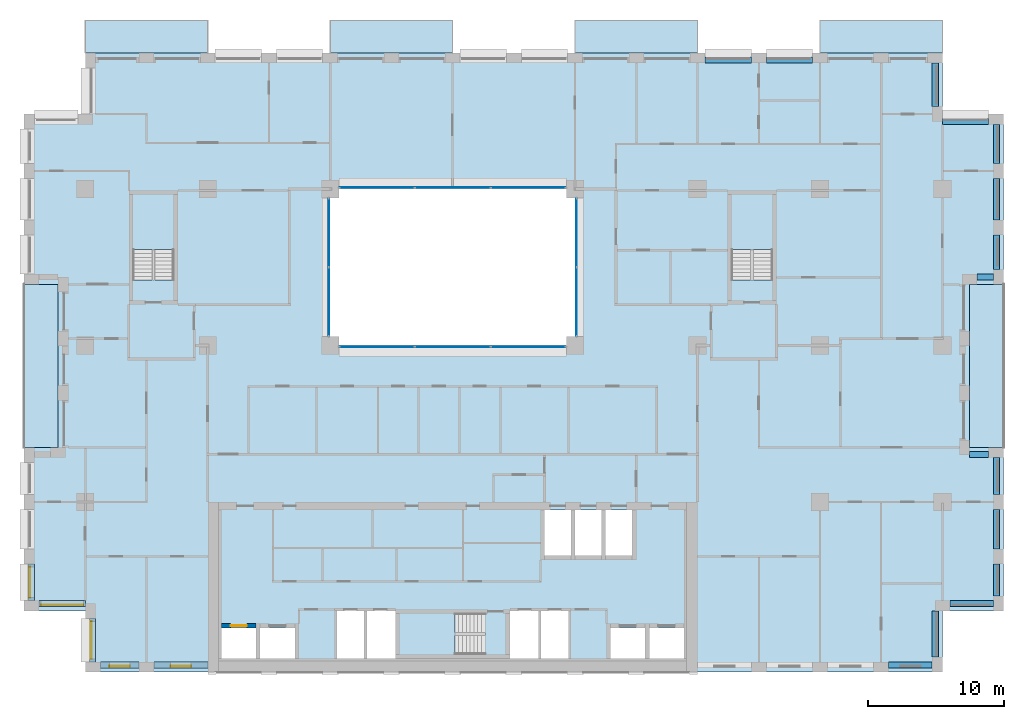
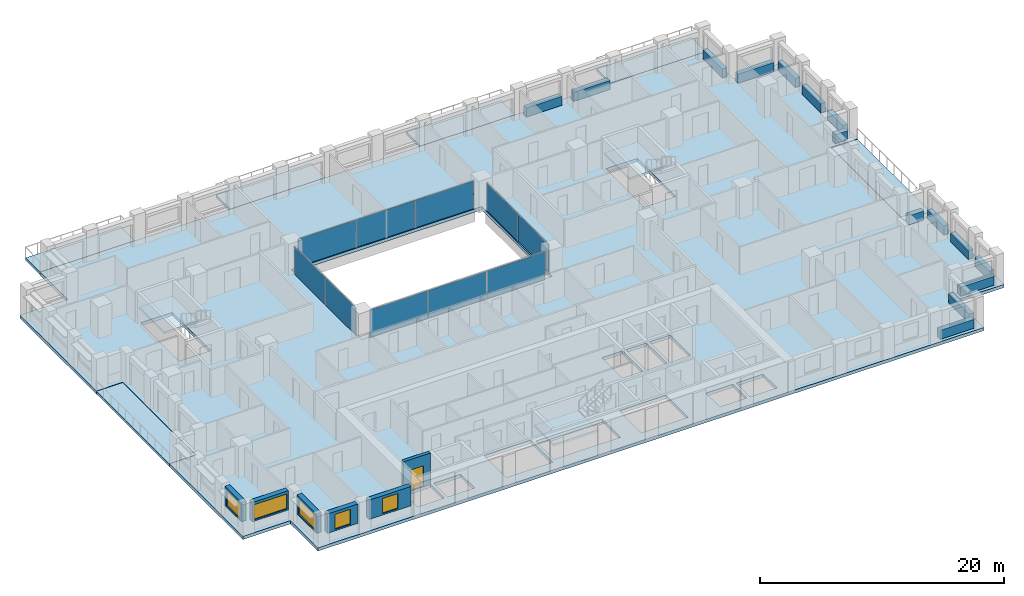
# One storey, part 7 of 16: 15 beams, 10 plates, 10 slabs, 6 walls, 5 windows, 1 door, 6 openings, 7 elements without a shape of their own.
"""IFC4 building model written with IfcOpenShell, lengths in metres."""

from ifc_helpers import new_model, si_unit, direction, frame, frame_2d, origin, origin_2d, place, context, subcontext, project, spatial, polyline, rectangle, outline, extrude, material, layer, layer_set, material_profile, profile_set, type_object, element, fill, aggregate, save


model = new_model("IFC4")

# Units and contexts
model_context = context("Model", 3, precision=1e-05, world=origin(), true_north=direction((0.0, 1.0)))
body_context = subcontext(model_context, "Body", "Model", "MODEL_VIEW")
ifc_project = project(units=[si_unit("LENGTHUNIT", "METRE"), si_unit("AREAUNIT", "SQUARE_METRE"), si_unit("VOLUMEUNIT", "CUBIC_METRE"), si_unit("PLANEANGLEUNIT", "RADIAN"), si_unit("MASSUNIT", "GRAM", prefix="KILO")], contexts=[model_context])

# Site, building, storey
site_placement = place(None, origin())
site = spatial("IfcSite", under=ifc_project, at=site_placement, CompositionType="ELEMENT")
building_placement = place(site_placement, origin())
building = spatial("IfcBuilding", under=site, at=building_placement, Name="Brigalow Station Residences", CompositionType="ELEMENT")
storey_placement = place(building_placement, frame((0.0, 0.0, 105.60009765625)))
storey = spatial("IfcBuildingStorey", under=building, at=storey_placement, Name="L30", CompositionType="ELEMENT", Elevation=105.60009765625)

# Beams
ifc_material_1 = material(Name="Concrete C65", Category="concrete")
ifc_material_profile = material_profile(ifc_material_1, rectangle(XDim=0.449951171875, YDim=0.89990234375, at=origin_2d()), Name="RC450x900")
ifc_profile_set = profile_set([ifc_material_profile], Name="Concrete C65")
beam_type = type_object("IfcBeamType", Name="SPANDREL BEAM 450x900 C65", PredefinedType="SPANDREL", material=ifc_profile_set)
beam_1_placement = place(storey_placement, frame((68.050048828125, 0.52490234375, 0.449951171875), z_axis=(1.0, 0.0, 0.0), x_axis=(0.0, 1.0, 0.0)))
element("IfcBeam", 1, at=beam_1_placement, inside=storey, type_object=beam_type, Name="L30/spandrel/W-L30-7", PredefinedType="SPANDREL", context=body_context, shape_type="SweptSolid", body=[
    extrude(rectangle(XDim=0.449951171875, YDim=0.89990234375, at=origin_2d()), origin(), (0.0, 0.0, 1.0), 3.199951171875),
])
beam_2_placement = place(storey_placement, frame((71.47509765625, 1.10009765625, 0.449951171875), z_axis=(0.0, 1.0, 0.0), x_axis=(-1.0, 0.0, 0.0)))
element("IfcBeam", 2, at=beam_2_placement, inside=storey, type_object=beam_type, Name="L30/spandrel/W-L30-8", PredefinedType="SPANDREL", context=body_context, shape_type="SweptSolid", body=[
    extrude(rectangle(XDim=0.449951171875, YDim=0.89990234375, at=origin_2d()), origin(), (0.0, 0.0, 1.0), 3.39990234375),
])
beam_3_placement = place(storey_placement, frame((72.550048828125, 5.02490234375, 0.449951171875), z_axis=(1.0, 0.0, 0.0), x_axis=(0.0, 1.0, 0.0)))
element("IfcBeam", 3, at=beam_3_placement, inside=storey, type_object=beam_type, Name="L30/spandrel/W-L30-9", PredefinedType="SPANDREL", context=body_context, shape_type="SweptSolid", body=[
    extrude(rectangle(XDim=0.449951171875, YDim=0.89990234375, at=origin_2d()), origin(), (0.0, 0.0, 1.0), 3.199951171875),
])
beam_4_placement = place(storey_placement, frame((75.97509765625, 5.60009765625, 0.449951171875), z_axis=(0.0, 1.0, 0.0), x_axis=(-1.0, 0.0, 0.0)))
element("IfcBeam", 4, at=beam_4_placement, inside=storey, type_object=beam_type, Name="L30/spandrel/W-L30-10", PredefinedType="SPANDREL", context=body_context, shape_type="SweptSolid", body=[
    extrude(rectangle(XDim=0.449951171875, YDim=0.89990234375, at=origin_2d()), origin(), (0.0, 0.0, 1.0), 2.349853515625),
])
beam_5_placement = place(storey_placement, frame((75.97509765625, 9.050048828125, 0.449951171875), z_axis=(0.0, 1.0, 0.0), x_axis=(-1.0, 0.0, 0.0)))
element("IfcBeam", 5, at=beam_5_placement, inside=storey, type_object=beam_type, Name="L30/spandrel/W-L30-11", PredefinedType="SPANDREL", context=body_context, shape_type="SweptSolid", body=[
    extrude(rectangle(XDim=0.449951171875, YDim=0.89990234375, at=origin_2d()), origin(), (0.0, 0.0, 1.0), 2.89990234375),
])
beam_6_placement = place(storey_placement, frame((75.97509765625, 13.050048828125, 0.449951171875), z_axis=(0.0, 1.0, 0.0), x_axis=(-1.0, 0.0, 0.0)))
element("IfcBeam", 6, at=beam_6_placement, inside=storey, type_object=beam_type, Name="L30/spandrel/W-L30-12", PredefinedType="SPANDREL", context=body_context, shape_type="SweptSolid", body=[
    extrude(rectangle(XDim=0.449951171875, YDim=0.89990234375, at=origin_2d()), origin(), (0.0, 0.0, 1.0), 2.699951171875),
])
beam_7_placement = place(storey_placement, frame((75.39990234375, 15.97509765625, 0.449951171875), z_axis=(-1.0, 0.0, 0.0), x_axis=(0.0, -1.0, 0.0)))
element("IfcBeam", 7, at=beam_7_placement, inside=storey, type_object=beam_type, Name="L30/spandrel/W-L30-13", PredefinedType="SPANDREL", context=body_context, shape_type="SweptSolid", body=[
    extrude(rectangle(XDim=0.449951171875, YDim=0.89990234375, at=origin_2d()), origin(), (0.0, 0.0, 1.0), 1.39990234375),
])
beam_8_placement = place(storey_placement, frame((74.550048828125, 29.02490234375, 0.449951171875), z_axis=(1.0, 0.0, 0.0), x_axis=(0.0, 1.0, 0.0)))
element("IfcBeam", 8, at=beam_8_placement, inside=storey, type_object=beam_type, Name="L30/spandrel/W-L30-17", PredefinedType="SPANDREL", context=body_context, shape_type="SweptSolid", body=[
    extrude(rectangle(XDim=0.449951171875, YDim=0.89990234375, at=origin_2d()), origin(), (0.0, 0.0, 1.0), 1.199951171875),
])
beam_9_placement = place(storey_placement, frame((75.97509765625, 29.60009765625, 0.449951171875), z_axis=(0.0, 1.0, 0.0), x_axis=(-1.0, 0.0, 0.0)))
element("IfcBeam", 9, at=beam_9_placement, inside=storey, type_object=beam_type, Name="L30/spandrel/W-L30-18", PredefinedType="SPANDREL", context=body_context, shape_type="SweptSolid", body=[
    extrude(rectangle(XDim=0.449951171875, YDim=0.89990234375, at=origin_2d()), origin(), (0.0, 0.0, 1.0), 2.516845703125),
])
beam_10_placement = place(storey_placement, frame((75.97509765625, 33.217041015625, 0.449951171875), z_axis=(0.0, 1.0, 0.0), x_axis=(-1.0, 0.0, 0.0)))
element("IfcBeam", 10, at=beam_10_placement, inside=storey, type_object=beam_type, Name="L30/spandrel/W-L30-19", PredefinedType="SPANDREL", context=body_context, shape_type="SweptSolid", body=[
    extrude(rectangle(XDim=0.449951171875, YDim=0.89990234375, at=origin_2d()), origin(), (0.0, 0.0, 1.0), 3.06591796875),
])
beam_11_placement = place(storey_placement, frame((75.97509765625, 37.383056640625, 0.449951171875), z_axis=(0.0, 1.0, 0.0), x_axis=(-1.0, 0.0, 0.0)))
element("IfcBeam", 11, at=beam_11_placement, inside=storey, type_object=beam_type, Name="L30/spandrel/W-L30-20", PredefinedType="SPANDREL", context=body_context, shape_type="SweptSolid", body=[
    extrude(rectangle(XDim=0.449951171875, YDim=0.89990234375, at=origin_2d()), origin(), (0.0, 0.0, 1.0), 2.866943359375),
])
beam_12_placement = place(storey_placement, frame((75.39990234375, 40.47509765625, 0.449951171875), z_axis=(-1.0, 0.0, 0.0), x_axis=(0.0, -1.0, 0.0)))
element("IfcBeam", 12, at=beam_12_placement, inside=storey, type_object=beam_type, Name="L30/spandrel/W-L30-21", PredefinedType="SPANDREL", context=body_context, shape_type="SweptSolid", body=[
    extrude(rectangle(XDim=0.449951171875, YDim=0.89990234375, at=origin_2d()), origin(), (0.0, 0.0, 1.0), 3.39990234375),
])
beam_13_placement = place(storey_placement, frame((71.47509765625, 41.550048828125, 0.449951171875), z_axis=(0.0, 1.0, 0.0), x_axis=(-1.0, 0.0, 0.0)))
element("IfcBeam", 13, at=beam_13_placement, inside=storey, type_object=beam_type, Name="L30/spandrel/W-L30-22", PredefinedType="SPANDREL", context=body_context, shape_type="SweptSolid", body=[
    extrude(rectangle(XDim=0.449951171875, YDim=0.89990234375, at=origin_2d()), origin(), (0.0, 0.0, 1.0), 3.199951171875),
])
for number, where, z_axis, x_axis, name in (
    (14, (62.449951171875, 44.97509765625, 0.449951171875), (-1.0, 0.0, 0.0), (0.0, -1.0, 0.0), "L30/spandrel/W-L30-25"),
    (15, (57.949951171875, 44.97509765625, 0.449951171875), (-1.0, 0.0, 0.0), (0.0, -1.0, 0.0), "L30/spandrel/W-L30-26"),
):
    element("IfcBeam", number, at=place(storey_placement, frame(where, z_axis=z_axis, x_axis=x_axis)), inside=storey, type_object=beam_type, Name=name, PredefinedType="SPANDREL", context=body_context, shape_type="SweptSolid", body=[
        extrude(rectangle(XDim=0.449951171875, YDim=0.89990234375, at=origin_2d()), origin(), (0.0, 0.0, 1.0), 3.39990234375),
    ])

# Curtain wall, plates
ifc_material_2 = material(Name="Aluminium", Category="aluminium")
ifc_layer_1 = layer(ifc_material_2, 0.14990234375)
ifc_layer_set_1 = layer_set([ifc_layer_1], Name="ATRIUM FIRE-RATED GLAZING CURTAIN WALL")
curtain_wall_type = type_object("IfcCurtainWallType", Name="ATRIUM FIRE-RATED GLAZING CURTAIN WALL", PredefinedType="NOTDEFINED", material=ifc_layer_set_1)
curtain_wall_1_placement = place(storey_placement, origin())
curtain_wall_1 = element("IfcCurtainWall", 16, at=curtain_wall_1_placement, inside=storey, type_object=curtain_wall_type, Name="L30/cw/atrium-S", PredefinedType="NOTDEFINED")
ifc_material_3 = material(Name="Fire-resisting laminated glazing, FRL -/60/-", Category="glass")
ifc_layer_2 = layer(ifc_material_3, 0.031982421875)
ifc_layer_set_2 = layer_set([ifc_layer_2], Name="ATRIUM FIRE-RATED GLAZING PANEL 32")
plate_type = type_object("IfcPlateType", Name="ATRIUM FIRE-RATED GLAZING PANEL 32", PredefinedType="CURTAIN_PANEL", material=ifc_layer_set_2)
plate_1_placement = place(storey_placement, frame((30.4482421875, 23.89990234375, 0.0), z_axis=(0.0, 0.0, 1.0), x_axis=(1.0, 0.0, 0.0)))
plate_1 = element("IfcPlate", 17, at=plate_1_placement, type_object=plate_type, Name="L30/cw/atrium-S/P00-00", PredefinedType="CURTAIN_PANEL", context=body_context, shape_type="SweptSolid", body=[
    extrude(rectangle(XDim=5.476806640625, YDim=0.031982421875, at=origin_2d()), origin(), (0.0, 0.0, 1.0), 2.77001953125),
])
plate_2_placement = place(storey_placement, frame((36.0, 23.89990234375, 0.0), z_axis=(0.0, 0.0, 1.0), x_axis=(1.0, 0.0, 0.0)))
plate_2 = element("IfcPlate", 18, at=plate_2_placement, type_object=plate_type, Name="L30/cw/atrium-S/P01-00", PredefinedType="CURTAIN_PANEL", context=body_context, shape_type="SweptSolid", body=[
    extrude(rectangle(XDim=5.506591796875, YDim=0.031982421875, at=origin_2d()), origin(), (0.0, 0.0, 1.0), 2.77001953125),
])
plate_3_placement = place(storey_placement, frame((41.5517578125, 23.89990234375, 0.0), z_axis=(0.0, 0.0, 1.0), x_axis=(1.0, 0.0, 0.0)))
plate_3 = element("IfcPlate", 19, at=plate_3_placement, type_object=plate_type, Name="L30/cw/atrium-S/P02-00", PredefinedType="CURTAIN_PANEL", context=body_context, shape_type="SweptSolid", body=[
    extrude(rectangle(XDim=5.476806640625, YDim=0.031982421875, at=origin_2d()), origin(), (0.0, 0.0, 1.0), 2.77001953125),
])
aggregate(curtain_wall_1, [plate_1, plate_2, plate_3])

curtain_wall_2_placement = place(storey_placement, origin())
curtain_wall_2 = element("IfcCurtainWall", 20, at=curtain_wall_2_placement, inside=storey, type_object=curtain_wall_type, Name="L30/cw/atrium-E", PredefinedType="NOTDEFINED")
plate_4_placement = place(storey_placement, frame((45.10009765625, 27.215087890625, 0.0), z_axis=(0.0, 0.0, 1.0), x_axis=(0.0, 1.0, 0.0)))
plate_4 = element("IfcPlate", 21, at=plate_4_placement, type_object=plate_type, Name="L30/cw/atrium-E/P00-00", PredefinedType="CURTAIN_PANEL", context=body_context, shape_type="SweptSolid", body=[
    extrude(rectangle(XDim=5.010009765625, YDim=0.031982421875, at=origin_2d()), origin(), (0.0, 0.0, 1.0), 2.77001953125),
])
plate_5_placement = place(storey_placement, frame((45.10009765625, 32.284912109375, 0.0), z_axis=(0.0, 0.0, 1.0), x_axis=(0.0, 1.0, 0.0)))
plate_5 = element("IfcPlate", 22, at=plate_5_placement, type_object=plate_type, Name="L30/cw/atrium-E/P01-00", PredefinedType="CURTAIN_PANEL", context=body_context, shape_type="SweptSolid", body=[
    extrude(rectangle(XDim=5.010009765625, YDim=0.031982421875, at=origin_2d()), origin(), (0.0, 0.0, 1.0), 2.77001953125),
])
aggregate(curtain_wall_2, [plate_4, plate_5])

curtain_wall_3_placement = place(storey_placement, origin())
curtain_wall_3 = element("IfcCurtainWall", 23, at=curtain_wall_3_placement, inside=storey, type_object=curtain_wall_type, Name="L30/cw/atrium-N", PredefinedType="NOTDEFINED")
plate_6_placement = place(storey_placement, frame((41.5517578125, 35.60009765625, 0.0), z_axis=(0.0, 0.0, 1.0), x_axis=(-1.0, 0.0, 0.0)))
plate_6 = element("IfcPlate", 24, at=plate_6_placement, type_object=plate_type, Name="L30/cw/atrium-N/P00-00", PredefinedType="CURTAIN_PANEL", context=body_context, shape_type="SweptSolid", body=[
    extrude(rectangle(XDim=5.476806640625, YDim=0.031982421875, at=origin_2d()), origin(), (0.0, 0.0, 1.0), 2.77001953125),
])
plate_7_placement = place(storey_placement, frame((36.0, 35.60009765625, 0.0), z_axis=(0.0, 0.0, 1.0), x_axis=(-1.0, 0.0, 0.0)))
plate_7 = element("IfcPlate", 25, at=plate_7_placement, type_object=plate_type, Name="L30/cw/atrium-N/P01-00", PredefinedType="CURTAIN_PANEL", context=body_context, shape_type="SweptSolid", body=[
    extrude(rectangle(XDim=5.506591796875, YDim=0.031982421875, at=origin_2d()), origin(), (0.0, 0.0, 1.0), 2.77001953125),
])
plate_8_placement = place(storey_placement, frame((30.4482421875, 35.60009765625, 0.0), z_axis=(0.0, 0.0, 1.0), x_axis=(-1.0, 0.0, 0.0)))
plate_8 = element("IfcPlate", 26, at=plate_8_placement, type_object=plate_type, Name="L30/cw/atrium-N/P02-00", PredefinedType="CURTAIN_PANEL", context=body_context, shape_type="SweptSolid", body=[
    extrude(rectangle(XDim=5.476806640625, YDim=0.031982421875, at=origin_2d()), origin(), (0.0, 0.0, 1.0), 2.77001953125),
])
aggregate(curtain_wall_3, [plate_6, plate_7, plate_8])

curtain_wall_4_placement = place(storey_placement, origin())
curtain_wall_4 = element("IfcCurtainWall", 27, at=curtain_wall_4_placement, inside=storey, type_object=curtain_wall_type, Name="L30/cw/atrium-W", PredefinedType="NOTDEFINED")
plate_9_placement = place(storey_placement, frame((26.89990234375, 32.284912109375, 0.0), z_axis=(0.0, 0.0, 1.0), x_axis=(0.0, -1.0, 0.0)))
plate_9 = element("IfcPlate", 28, at=plate_9_placement, type_object=plate_type, Name="L30/cw/atrium-W/P00-00", PredefinedType="CURTAIN_PANEL", context=body_context, shape_type="SweptSolid", body=[
    extrude(rectangle(XDim=5.010009765625, YDim=0.031982421875, at=origin_2d()), origin(), (0.0, 0.0, 1.0), 2.77001953125),
])
plate_10_placement = place(storey_placement, frame((26.89990234375, 27.215087890625, 0.0), z_axis=(0.0, 0.0, 1.0), x_axis=(0.0, -1.0, 0.0)))
plate_10 = element("IfcPlate", 29, at=plate_10_placement, type_object=plate_type, Name="L30/cw/atrium-W/P01-00", PredefinedType="CURTAIN_PANEL", context=body_context, shape_type="SweptSolid", body=[
    extrude(rectangle(XDim=5.010009765625, YDim=0.031982421875, at=origin_2d()), origin(), (0.0, 0.0, 1.0), 2.77001953125),
])
aggregate(curtain_wall_4, [plate_9, plate_10])

# Slabs
ifc_material_4 = material(Name="Concrete C50 precast", Category="concrete")
ifc_layer_3 = layer(ifc_material_4, 0.25)
ifc_layer_set_3 = layer_set([ifc_layer_3], Name="BALCONY SLAB 250")
slab_type_1 = type_object("IfcSlabType", Name="BALCONY SLAB 250", PredefinedType="USERDEFINED", material=ifc_layer_set_3)
slab_1_placement = place(storey_placement, frame((0.0, 0.0, -0.2900390625)))
element("IfcSlab", 30, at=slab_1_placement, inside=storey, type_object=slab_type_1, Name="L30/balcony/1", ObjectType="BALCONY", PredefinedType="USERDEFINED", context=body_context, shape_type="SweptSolid", body=[
    extrude(outline(polyline([(74.0, 16.5), (76.5, 16.5), (76.5, 28.5), (74.0, 28.5), (74.0, 16.5)])), origin(), (0.0, 0.0, 1.0), 0.25),
])
slab_2_placement = place(storey_placement, frame((0.0, 0.0, -0.2900390625)))
element("IfcSlab", 31, at=slab_2_placement, inside=storey, type_object=slab_type_1, Name="L30/balcony/2", ObjectType="BALCONY", PredefinedType="USERDEFINED", context=body_context, shape_type="SweptSolid", body=[
    extrude(outline(polyline([(72.0, 45.5), (72.0, 47.89990234375), (63.0, 47.89990234375), (63.0, 45.5), (72.0, 45.5)])), origin(), (0.0, 0.0, 1.0), 0.25),
])
slab_3_placement = place(storey_placement, frame((0.0, 0.0, -0.2900390625)))
element("IfcSlab", 32, at=slab_3_placement, inside=storey, type_object=slab_type_1, Name="L30/balcony/3", ObjectType="BALCONY", PredefinedType="USERDEFINED", context=body_context, shape_type="SweptSolid", body=[
    extrude(outline(polyline([(54.0, 45.5), (54.0, 47.89990234375), (45.0, 47.89990234375), (45.0, 45.5), (54.0, 45.5)])), origin(), (0.0, 0.0, 1.0), 0.25),
])
slab_4_placement = place(storey_placement, frame((0.0, 0.0, -0.2900390625)))
element("IfcSlab", 33, at=slab_4_placement, inside=storey, type_object=slab_type_1, Name="L30/balcony/4", ObjectType="BALCONY", PredefinedType="USERDEFINED", context=body_context, shape_type="SweptSolid", body=[
    extrude(outline(polyline([(36.0, 45.5), (36.0, 47.89990234375), (27.0, 47.89990234375), (27.0, 45.5), (36.0, 45.5)])), origin(), (0.0, 0.0, 1.0), 0.25),
])
slab_5_placement = place(storey_placement, frame((0.0, 0.0, -0.2900390625)))
element("IfcSlab", 34, at=slab_5_placement, inside=storey, type_object=slab_type_1, Name="L30/balcony/5", ObjectType="BALCONY", PredefinedType="USERDEFINED", context=body_context, shape_type="SweptSolid", body=[
    extrude(outline(polyline([(18.0, 45.5), (18.0, 47.89990234375), (9.0, 47.89990234375), (9.0, 45.5), (18.0, 45.5)])), origin(), (0.0, 0.0, 1.0), 0.25),
])
slab_6_placement = place(storey_placement, frame((0.0, 0.0, -0.2900390625)))
element("IfcSlab", 35, at=slab_6_placement, inside=storey, type_object=slab_type_1, Name="L30/balcony/6", ObjectType="BALCONY", PredefinedType="USERDEFINED", context=body_context, shape_type="SweptSolid", body=[
    extrude(outline(polyline([(7.0, 28.5), (4.5, 28.5), (4.5, 16.5), (7.0, 16.5), (7.0, 28.5)])), origin(), (0.0, 0.0, 1.0), 0.25),
])
ifc_material_5 = material(Name="Concrete C50", Category="concrete")
ifc_layer_4 = layer(ifc_material_5, 0.320068359375)
ifc_layer_set_4 = layer_set([ifc_layer_4], Name="POST-TENSIONED FLAT PLATE 320 C50")
slab_type_2 = type_object("IfcSlabType", Name="POST-TENSIONED FLAT PLATE 320 C50", PredefinedType="FLOOR", material=ifc_layer_set_4)
slab_7_placement = place(storey_placement, frame((0.0, 0.0, -0.320068359375)))
element("IfcSlab", 36, at=slab_7_placement, inside=storey, type_object=slab_type_2, Name="FLOOR SLAB L30", PredefinedType="FLOOR", context=body_context, shape_type="SweptSolid", body=[
    extrude(outline(polyline([(9.0, 0.0), (72.0, 0.0), (72.0, 4.5), (76.5, 4.5), (76.5, 16.5), (74.0, 16.5), (74.0, 28.5), (76.5, 28.5), (76.5, 41.0), (72.0, 41.0), (72.0, 45.5), (9.0, 45.5), (9.0, 41.0), (4.5, 41.0), (4.5, 28.5), (7.0, 28.5), (7.0, 16.5), (4.5, 16.5), (4.5, 4.5), (9.0, 4.5), (9.0, 0.0)]), holes=[polyline([(12.5048828125, 35.094970703125), (15.4951171875, 35.094970703125), (15.4951171875, 28.804931640625), (12.5048828125, 28.804931640625), (12.5048828125, 35.094970703125)]), polyline([(19.0, 1.0), (19.0, 3.25), (21.550048828125, 3.25), (21.550048828125, 1.0), (19.0, 1.0)]), polyline([(21.85009765625, 3.25), (24.39990234375, 3.25), (24.39990234375, 1.0), (21.85009765625, 1.0), (21.85009765625, 3.25)]), polyline([(27.0, 35.5), (45.0, 35.5), (45.0, 24.0), (27.0, 24.0), (27.0, 35.5)]), polyline([(29.60009765625, 4.60009765625), (31.800048828125, 4.60009765625), (31.800048828125, 1.0), (29.60009765625, 1.0), (27.39990234375, 1.0), (27.39990234375, 4.60009765625), (29.60009765625, 4.60009765625)]), polyline([(32.10498046875, 4.294921875), (38.39501953125, 4.294921875), (38.39501953125, 1.304931640625), (32.10498046875, 1.304931640625), (32.10498046875, 4.294921875)]), polyline([(40.199951171875, 4.60009765625), (42.39990234375, 4.60009765625), (44.60009765625, 4.60009765625), (44.60009765625, 1.0), (42.39990234375, 1.0), (40.199951171875, 1.0), (40.199951171875, 4.60009765625)]), polyline([(42.75, 11.89990234375), (44.699951171875, 11.89990234375), (44.699951171875, 8.550048828125), (42.75, 8.550048828125), (42.75, 11.89990234375)]), polyline([(45.0, 11.89990234375), (46.949951171875, 11.89990234375), (46.949951171875, 8.550048828125), (45.0, 8.550048828125), (45.0, 11.89990234375)]), polyline([(47.25, 11.89990234375), (49.199951171875, 11.89990234375), (49.199951171875, 8.550048828125), (47.25, 8.550048828125), (47.25, 11.89990234375)]), polyline([(47.60009765625, 3.25), (50.14990234375, 3.25), (50.14990234375, 1.0), (47.60009765625, 1.0), (47.60009765625, 3.25)]), polyline([(50.449951171875, 3.25), (53.0, 3.25), (53.0, 1.0), (50.449951171875, 1.0), (50.449951171875, 3.25)]), polyline([(56.5048828125, 35.094970703125), (59.4951171875, 35.094970703125), (59.4951171875, 28.804931640625), (56.5048828125, 28.804931640625), (56.5048828125, 35.094970703125)])]), origin(), (0.0, 0.0, 1.0), 0.320068359375),
])

# Stair, slab
ifc_material_6 = material(Name="Concrete C50", Category="concrete")
stair_type = type_object("IfcStairType", Name="EXIT STAIR 1400 2 FLIGHT", PredefinedType="HALF_TURN_STAIR", material=ifc_material_6)
stair_1_placement = place(storey_placement, origin())
stair_1 = element("IfcStair", 37, at=stair_1_placement, inside=storey, type_object=stair_type, Name="EXIT STAIR S2 L30", PredefinedType="HALF_TURN_STAIR")
ifc_material_7 = material(Name="Concrete C50", Category="concrete")
ifc_layer_5 = layer(ifc_material_7, 0.199951171875)
ifc_layer_set_5 = layer_set([ifc_layer_5], Name="STAIR LANDING 200")
slab_type_3 = type_object("IfcSlabType", Name="STAIR LANDING 200", PredefinedType="LANDING", material=ifc_layer_set_5)
slab_8_placement = place(storey_placement, frame((0.0, 0.0, 1.375)))
slab_8 = element("IfcSlab", 38, at=slab_8_placement, type_object=slab_type_3, Name="ST-2 landing 1", PredefinedType="LANDING", context=body_context, shape_type="SweptSolid", body=[
    extrude(outline(polyline([(32.0, 1.199951171875), (36.159912109375, 1.199951171875), (36.159912109375, 4.39990234375), (32.0, 4.39990234375), (32.0, 1.199951171875)])), origin(), (0.0, 0.0, 1.0), 0.199951171875),
])
aggregate(stair_1, [slab_8])

stair_2_placement = place(storey_placement, origin())
stair_2 = element("IfcStair", 39, at=stair_2_placement, inside=storey, type_object=stair_type, Name="EXIT STAIR S1 L30", PredefinedType="HALF_TURN_STAIR")
slab_9_placement = place(storey_placement, frame((0.0, 0.0, 1.375)))
slab_9 = element("IfcSlab", 40, at=slab_9_placement, type_object=slab_type_3, Name="ST-1 landing 1", PredefinedType="LANDING", context=body_context, shape_type="SweptSolid", body=[
    extrude(outline(polyline([(12.39990234375, 31.0400390625), (15.60009765625, 31.0400390625), (15.60009765625, 35.199951171875), (12.39990234375, 35.199951171875), (12.39990234375, 31.0400390625)])), origin(), (0.0, 0.0, 1.0), 0.199951171875),
])
aggregate(stair_2, [slab_9])

stair_3_placement = place(storey_placement, origin())
stair_3 = element("IfcStair", 41, at=stair_3_placement, inside=storey, type_object=stair_type, Name="EXIT STAIR S3 L30", PredefinedType="HALF_TURN_STAIR")
slab_10_placement = place(storey_placement, frame((0.0, 0.0, 1.375)))
slab_10 = element("IfcSlab", 42, at=slab_10_placement, type_object=slab_type_3, Name="ST-3 landing 1", PredefinedType="LANDING", context=body_context, shape_type="SweptSolid", body=[
    extrude(outline(polyline([(56.39990234375, 31.0400390625), (59.60009765625, 31.0400390625), (59.60009765625, 35.199951171875), (56.39990234375, 35.199951171875), (56.39990234375, 31.0400390625)])), origin(), (0.0, 0.0, 1.0), 0.199951171875),
])
aggregate(stair_3, [slab_10])

# Wall, opening, window
ifc_material_8 = material(Name="Clay brick masonry", Category="masonry")
ifc_layer_6 = layer(ifc_material_8, 0.449951171875)
ifc_layer_set_6 = layer_set([ifc_layer_6], Name="BRICK INFILL WALL 450")
wall_type_1 = type_object("IfcWallType", Name="BRICK INFILL WALL 450", PredefinedType="SOLIDWALL", material=ifc_layer_set_6)
wall_1_placement = place(storey_placement, frame((10.10009765625, 0.52490234375, 0.89990234375), z_axis=(0.0, 0.0, 1.0), x_axis=(1.0, 0.0, 0.0)))
wall_1 = element("IfcWall", 43, at=wall_1_placement, inside=storey, type_object=wall_type_1, Name="L30/ewall/W-L30-1", PredefinedType="SOLIDWALL", context=body_context, shape_type="SweptSolid", body=[
    extrude(rectangle(XDim=2.849853515625, YDim=0.449951171875, at=frame_2d((1.4248046875, 0.0))), origin(), (0.0, 0.0, 1.0), 1.929931640625),
])
opening_1_placement = place(wall_1_placement, frame((0.675048828125, 0.0, 0.14990234375)))
opening_1 = element("IfcOpeningElement", 44, at=opening_1_placement, cuts=wall_1, Name="Opening WT-1", PredefinedType="OPENING", context=body_context, shape_type="SweptSolid", body=[
    extrude(rectangle(XDim=1.5, YDim=1.5, at=frame_2d((0.75, 0.75))), frame((0.0, 0.23486328125, 0.0), z_axis=(0.0, -1.0, 0.0), x_axis=(1.0, 0.0, 0.0)), (0.0, 0.0, 1.0), 0.469970703125),
])
ifc_material_9 = material(Name="Anodised aluminium frame with double glazing", Category="aluminium")
window_type_1 = type_object("IfcWindowType", Name="WINDOW 1500x1500", PartitioningType="SINGLE_PANEL", PredefinedType="WINDOW", material=ifc_material_9)
window_1_placement = place(opening_1_placement, origin())
window_1 = element("IfcWindow", 45, at=window_1_placement, inside=storey, type_object=window_type_1, Name="L30/window/W-L30-1", OverallHeight=1.5, OverallWidth=1.5, PartitioningType="SINGLE_PANEL", PredefinedType="WINDOW", context=body_context, shape_type="SweptSolid", body=[
    extrude(rectangle(XDim=1.5, YDim=1.5, at=frame_2d((0.75, 0.75))), frame((0.0, -0.06494140625, 0.0), z_axis=(0.0, -1.0, 0.0), x_axis=(1.0, 0.0, 0.0)), (0.0, 0.0, 1.0), 0.06005859375),
])
fill(opening_1, window_1)

wall_2_placement = place(storey_placement, frame((14.050048828125, 0.52490234375, 0.89990234375), z_axis=(0.0, 0.0, 1.0), x_axis=(1.0, 0.0, 0.0)))
wall_2 = element("IfcWall", 46, at=wall_2_placement, inside=storey, type_object=wall_type_1, Name="L30/ewall/W-L30-2", PredefinedType="SOLIDWALL", context=body_context, shape_type="SweptSolid", body=[
    extrude(rectangle(XDim=3.949951171875, YDim=0.449951171875, at=frame_2d((1.97509765625, 0.0))), origin(), (0.0, 0.0, 1.0), 1.929931640625),
])
opening_2_placement = place(wall_2_placement, frame((1.22509765625, 0.0, 0.14990234375)))
opening_2 = element("IfcOpeningElement", 47, at=opening_2_placement, cuts=wall_2, Name="Opening WT-1", PredefinedType="OPENING", context=body_context, shape_type="SweptSolid", body=[
    extrude(rectangle(XDim=1.5, YDim=1.5, at=frame_2d((0.75, 0.75))), frame((0.0, 0.23486328125, 0.0), z_axis=(0.0, -1.0, 0.0), x_axis=(1.0, 0.0, 0.0)), (0.0, 0.0, 1.0), 0.469970703125),
])
window_2_placement = place(opening_2_placement, origin())
window_2 = element("IfcWindow", 48, at=window_2_placement, inside=storey, type_object=window_type_1, Name="L30/window/W-L30-2", OverallHeight=1.5, OverallWidth=1.5, PartitioningType="SINGLE_PANEL", PredefinedType="WINDOW", context=body_context, shape_type="SweptSolid", body=[
    extrude(rectangle(XDim=1.5, YDim=1.5, at=frame_2d((0.75, 0.75))), frame((0.0, -0.06494140625, 0.0), z_axis=(0.0, -1.0, 0.0), x_axis=(1.0, 0.0, 0.0)), (0.0, 0.0, 1.0), 0.06005859375),
])
fill(opening_2, window_2)

wall_3_placement = place(storey_placement, frame((5.02490234375, 7.949951171875, 0.89990234375), z_axis=(0.0, 0.0, 1.0), x_axis=(0.0, -1.0, 0.0)))
wall_3 = element("IfcWall", 49, at=wall_3_placement, inside=storey, type_object=wall_type_1, Name="L30/ewall/W-L30-49", PredefinedType="SOLIDWALL", context=body_context, shape_type="SweptSolid", body=[
    extrude(rectangle(XDim=2.699951171875, YDim=0.449951171875, at=frame_2d((1.35009765625, 0.0))), origin(), (0.0, 0.0, 1.0), 1.929931640625),
])
opening_3_placement = place(wall_3_placement, frame((0.22509765625, 0.0, 0.14990234375)))
opening_3 = element("IfcOpeningElement", 50, at=opening_3_placement, cuts=wall_3, Name="Opening WT-6", PredefinedType="OPENING", context=body_context, shape_type="SweptSolid", body=[
    extrude(rectangle(XDim=2.25, YDim=1.5, at=frame_2d((1.125, 0.75))), frame((0.0, 0.23486328125, 0.0), z_axis=(0.0, -1.0, 0.0), x_axis=(1.0, 0.0, 0.0)), (0.0, 0.0, 1.0), 0.469970703125),
])
ifc_material_10 = material(Name="Anodised aluminium frame with double glazing", Category="aluminium")
window_type_2 = type_object("IfcWindowType", Name="WINDOW 2250x1500", PartitioningType="SINGLE_PANEL", PredefinedType="WINDOW", material=ifc_material_10)
window_3_placement = place(opening_3_placement, origin())
window_3 = element("IfcWindow", 51, at=window_3_placement, inside=storey, type_object=window_type_2, Name="L30/window/W-L30-49", OverallHeight=1.5, OverallWidth=2.25, PartitioningType="SINGLE_PANEL", PredefinedType="WINDOW", context=body_context, shape_type="SweptSolid", body=[
    extrude(rectangle(XDim=2.25, YDim=1.5, at=frame_2d((1.125, 0.75))), frame((0.0, -0.06494140625, 0.0), z_axis=(0.0, -1.0, 0.0), x_axis=(1.0, 0.0, 0.0)), (0.0, 0.0, 1.0), 0.06005859375),
])
fill(opening_3, window_3)

wall_4_placement = place(storey_placement, frame((5.60009765625, 5.02490234375, 0.89990234375), z_axis=(0.0, 0.0, 1.0), x_axis=(1.0, 0.0, 0.0)))
wall_4 = element("IfcWall", 52, at=wall_4_placement, inside=storey, type_object=wall_type_1, Name="L30/ewall/W-L30-50", PredefinedType="SOLIDWALL", context=body_context, shape_type="SweptSolid", body=[
    extrude(rectangle(XDim=3.39990234375, YDim=0.449951171875, at=frame_2d((1.699951171875, 0.0))), origin(), (0.0, 0.0, 1.0), 1.929931640625),
])
opening_4_placement = place(wall_4_placement, frame((0.14990234375, 0.0, 0.14990234375)))
opening_4 = element("IfcOpeningElement", 53, at=opening_4_placement, cuts=wall_4, Name="Opening WT-8", PredefinedType="OPENING", context=body_context, shape_type="SweptSolid", body=[
    extrude(rectangle(XDim=3.10009765625, YDim=1.5, at=frame_2d((1.550048828125, 0.75))), frame((0.0, 0.23486328125, 0.0), z_axis=(0.0, -1.0, 0.0), x_axis=(1.0, 0.0, 0.0)), (0.0, 0.0, 1.0), 0.469970703125),
])
ifc_material_11 = material(Name="Anodised aluminium frame with double glazing", Category="aluminium")
window_type_3 = type_object("IfcWindowType", Name="WINDOW 3100x1500", PartitioningType="SINGLE_PANEL", PredefinedType="WINDOW", material=ifc_material_11)
window_4_placement = place(opening_4_placement, origin())
window_4 = element("IfcWindow", 54, at=window_4_placement, inside=storey, type_object=window_type_3, Name="L30/window/W-L30-50", OverallHeight=1.5, OverallWidth=3.10009765625, PartitioningType="SINGLE_PANEL", PredefinedType="WINDOW", context=body_context, shape_type="SweptSolid", body=[
    extrude(rectangle(XDim=3.10009765625, YDim=1.5, at=frame_2d((1.550048828125, 0.75))), frame((0.0, -0.06494140625, 0.0), z_axis=(0.0, -1.0, 0.0), x_axis=(1.0, 0.0, 0.0)), (0.0, 0.0, 1.0), 0.06005859375),
])
fill(opening_4, window_4)

wall_5_placement = place(storey_placement, frame((9.52490234375, 3.949951171875, 0.89990234375), z_axis=(0.0, 0.0, 1.0), x_axis=(0.0, -1.0, 0.0)))
wall_5 = element("IfcWall", 55, at=wall_5_placement, inside=storey, type_object=wall_type_1, Name="L30/ewall/W-L30-51", PredefinedType="SOLIDWALL", context=body_context, shape_type="SweptSolid", body=[
    extrude(rectangle(XDim=3.199951171875, YDim=0.449951171875, at=frame_2d((1.60009765625, 0.0))), origin(), (0.0, 0.0, 1.0), 1.929931640625),
])
opening_5_placement = place(wall_5_placement, frame((0.22509765625, 0.0, 0.14990234375)))
opening_5 = element("IfcOpeningElement", 56, at=opening_5_placement, cuts=wall_5, Name="Opening WT-3", PredefinedType="OPENING", context=body_context, shape_type="SweptSolid", body=[
    extrude(rectangle(XDim=2.75, YDim=1.5, at=frame_2d((1.375, 0.75))), frame((0.0, 0.23486328125, 0.0), z_axis=(0.0, -1.0, 0.0), x_axis=(1.0, 0.0, 0.0)), (0.0, 0.0, 1.0), 0.469970703125),
])
ifc_material_12 = material(Name="Anodised aluminium frame with double glazing", Category="aluminium")
window_type_4 = type_object("IfcWindowType", Name="WINDOW 2750x1500", PartitioningType="SINGLE_PANEL", PredefinedType="WINDOW", material=ifc_material_12)
window_5_placement = place(opening_5_placement, origin())
window_5 = element("IfcWindow", 57, at=window_5_placement, inside=storey, type_object=window_type_4, Name="L30/window/W-L30-51", OverallHeight=1.5, OverallWidth=2.75, PartitioningType="SINGLE_PANEL", PredefinedType="WINDOW", context=body_context, shape_type="SweptSolid", body=[
    extrude(rectangle(XDim=2.75, YDim=1.5, at=frame_2d((1.375, 0.75))), frame((0.0, -0.06494140625, 0.0), z_axis=(0.0, -1.0, 0.0), x_axis=(1.0, 0.0, 0.0)), (0.0, 0.0, 1.0), 0.06005859375),
])
fill(opening_5, window_5)

# Wall, opening, door
ifc_material_13 = material(Name="Concrete C65", Category="concrete")
ifc_layer_7 = layer(ifc_material_13, 0.300048828125)
ifc_layer_set_7 = layer_set([ifc_layer_7], Name="CORE SHEAR WALL 300 C65")
wall_type_2 = type_object("IfcWallType", Name="CORE SHEAR WALL 300 C65", PredefinedType="SHEAR", material=ifc_layer_set_7)
wall_6_placement = place(storey_placement, frame((19.0, 3.39990234375, 0.0), z_axis=(0.0, 0.0, 1.0), x_axis=(1.0, 0.0, 0.0)))
wall_6 = element("IfcWall", 58, at=wall_6_placement, inside=storey, type_object=wall_type_2, Name="CORE WALL SH-C1-N L30", PredefinedType="SHEAR", context=body_context, shape_type="SweptSolid", body=[
    extrude(rectangle(XDim=2.550048828125, YDim=0.300048828125, at=frame_2d((1.27490234375, 0.0))), origin(), (0.0, 0.0, 1.0), 3.14990234375),
])
opening_6_placement = place(wall_6_placement, frame((0.675048828125, 0.0, 0.0)))
opening_6 = element("IfcOpeningElement", 59, at=opening_6_placement, cuts=wall_6, Name="Opening LD-LB1", PredefinedType="OPENING", context=body_context, shape_type="SweptSolid", body=[
    extrude(rectangle(XDim=1.199951171875, YDim=2.10009765625, at=frame_2d((0.60009765625, 1.050048828125))), frame((0.0, 0.16015625, 0.0), z_axis=(0.0, -1.0, 0.0), x_axis=(1.0, 0.0, 0.0)), (0.0, 0.0, 1.0), 0.320068359375),
])
ifc_material_14 = material(Name="Stainless steel sliding door leaves", Category="steel")
door_type = type_object("IfcDoorType", Name="LIFT LANDING DOOR 1200 x 2100", OperationType="DOUBLE_DOOR_SLIDING", PredefinedType="DOOR", material=ifc_material_14)
door_placement = place(opening_6_placement, origin())
door = element("IfcDoor", 60, at=door_placement, inside=storey, type_object=door_type, Name="LANDING DOOR LB1", OperationType="DOUBLE_DOOR_SLIDING", OverallHeight=2.10009765625, OverallWidth=1.199951171875, PredefinedType="DOOR", context=body_context, shape_type="SweptSolid", body=[
    extrude(rectangle(XDim=1.199951171875, YDim=2.10009765625, at=frame_2d((0.60009765625, 1.050048828125))), frame((0.0, 0.02490234375, 0.0), z_axis=(0.0, -1.0, 0.0), x_axis=(1.0, 0.0, 0.0)), (0.0, 0.0, 1.0), 0.050048828125),
])
fill(opening_6, door)

save(model, "model.ifc")
